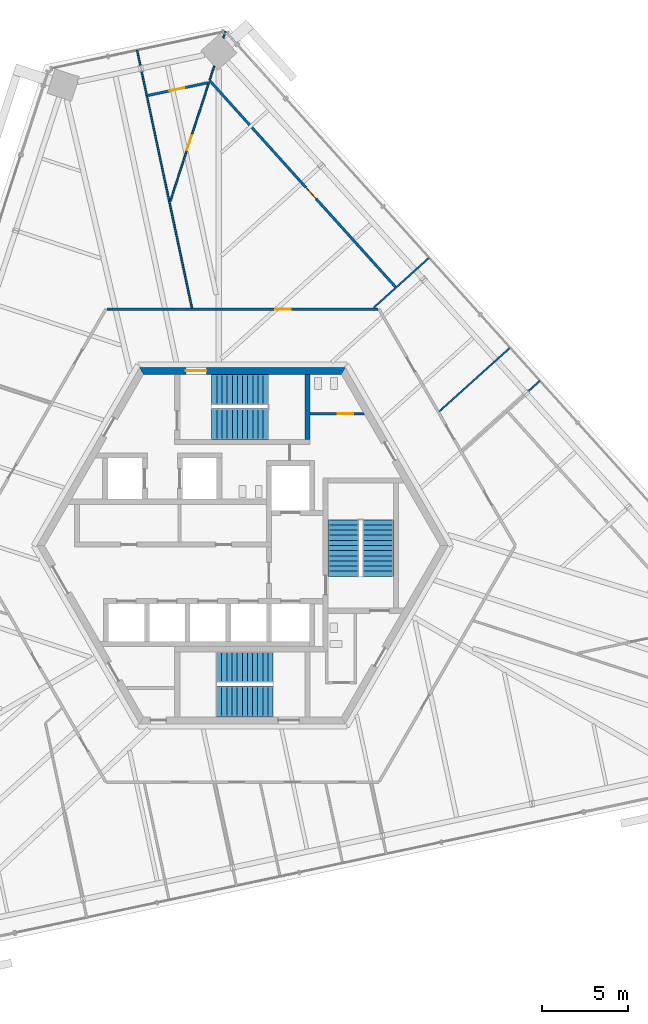
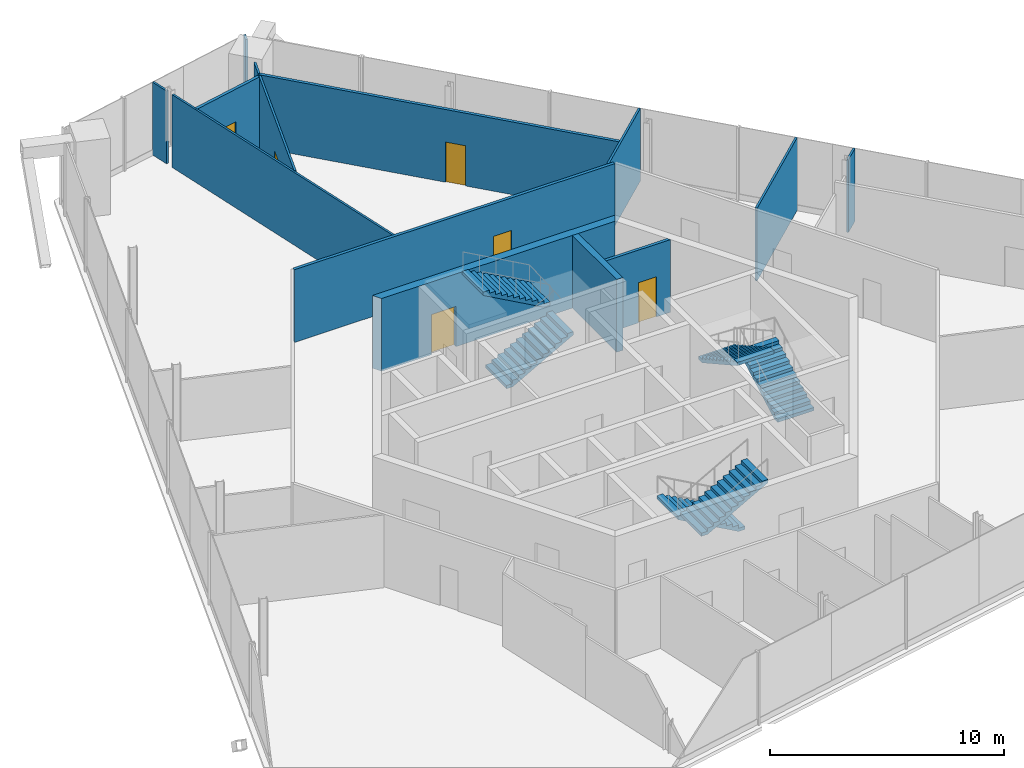
# One storey, part 13 of 16: 14 walls, 6 doors, 6 stair flights, 6 openings, 3 elements without a shape of their own.
"""IFC4 building model written with IfcOpenShell, lengths in metres."""

from ifc_helpers import new_model, si_unit, direction, frame, frame_2d, origin, place, context, subcontext, project, spatial, polyline, rectangle, outline, extrude, source, transform, mapped, material, layer, layer_set, type_object, element, fill, aggregate, save


model = new_model("IFC4")

# Units and contexts
model_context = context("Model", 3, precision=1e-05, world=origin(), true_north=direction((0.0, 1.0)))
body_context = subcontext(model_context, "Body", "Model", "MODEL_VIEW")
ifc_project = project(units=[si_unit("LENGTHUNIT", "METRE"), si_unit("AREAUNIT", "SQUARE_METRE"), si_unit("VOLUMEUNIT", "CUBIC_METRE"), si_unit("PLANEANGLEUNIT", "RADIAN"), si_unit("MASSUNIT", "GRAM", prefix="KILO")], contexts=[model_context])

# Site, building, storey
site_placement = place(None, origin())
site = spatial("IfcSite", under=ifc_project, at=site_placement, CompositionType="ELEMENT")
building_placement = place(site_placement, origin())
building = spatial("IfcBuilding", under=site, at=building_placement, Name="Triune Harvest Tower", CompositionType="ELEMENT")
storey_placement = place(building_placement, frame((0.0, 0.0, 292.699951171875)))
storey = spatial("IfcBuildingStorey", under=building, at=storey_placement, Name="L77", CompositionType="ELEMENT", Elevation=292.699951171875)

# Wall, opening, door
ifc_material_1 = material(Name="Concrete masonry unit", Category="masonry")
ifc_layer_1 = layer(ifc_material_1, 0.14990234375)
ifc_layer_set_1 = layer_set([ifc_layer_1], Name="Concrete masonry unit")
wall_type_1 = type_object("IfcWallType", Name="Block partition 150 unrated", PredefinedType="PARTITIONING", material=ifc_layer_set_1)
wall_1_placement = place(storey_placement, frame((3.949951171875, 7.699951171875, 0.0), z_axis=(0.0, 0.0, 1.0), x_axis=(1.0, 0.0, 0.0)))
wall_1 = element("IfcWall", 1, at=wall_1_placement, inside=storey, type_object=wall_type_1, Name="Wc women south wall", PredefinedType="PARTITIONING", context=body_context, shape_type="SweptSolid", body=[
    extrude(outline(polyline([(0.0, -0.074951171875), (0.0, 0.074951171875), (3.1015625, 0.074951171875), (3.18798828125, -0.074951171875), (0.0, -0.074951171875)])), origin(), (0.0, 0.0, 1.0), 3.800048828125),
])
opening_1_placement = place(wall_1_placement, frame((1.60009765625, 0.0, 0.0)))
opening_1 = element("IfcOpeningElement", 2, at=opening_1_placement, cuts=wall_1, Name="Opening CD-WW", PredefinedType="OPENING", context=body_context, shape_type="SweptSolid", body=[
    extrude(rectangle(XDim=0.89990234375, YDim=2.10009765625, at=frame_2d((0.449951171875, 1.050048828125))), frame((0.0, 0.0849609375, 0.0), z_axis=(0.0, -1.0, 0.0), x_axis=(1.0, 0.0, 0.0)), (0.0, 0.0, 1.0), 0.169921875),
])
ifc_material_2 = material(Name="Timber C24", Category="wood")
door_type_1 = type_object("IfcDoorType", Name="WC door 900", OperationType="SINGLE_SWING_LEFT", PredefinedType="DOOR", material=ifc_material_2)
door_1_placement = place(opening_1_placement, origin())
door_1 = element("IfcDoor", 3, at=door_1_placement, inside=storey, type_object=door_type_1, Name="Door CD-WW", OperationType="SINGLE_SWING_LEFT", OverallHeight=2.10009765625, OverallWidth=0.89990234375, PredefinedType="DOOR", context=body_context, shape_type="SweptSolid", body=[
    extrude(rectangle(XDim=0.89990234375, YDim=2.10009765625, at=frame_2d((0.449951171875, 1.050048828125))), frame((0.0, 0.02490234375, 0.0), z_axis=(0.0, -1.0, 0.0), x_axis=(1.0, 0.0, 0.0)), (0.0, 0.0, 1.0), 0.050048828125),
])
fill(opening_1, door_1)

ifc_material_3 = material(Name="Gypsum board on steel studs", Category="steel")
ifc_layer_2 = layer(ifc_material_3, 0.14990234375)
ifc_layer_set_2 = layer_set([ifc_layer_2], Name="Gypsum board on steel studs")
wall_type_2 = type_object("IfcWallType", Name="Fire Partition 150 mm", PredefinedType="PARTITIONING", material=ifc_layer_set_2)
wall_2_placement = place(storey_placement, frame((-1.917236328125, 27.131591796875, 0.0), z_axis=(0.0, 0.0, 1.0), x_axis=(0.669134010091, -0.74314176073, 0.0)))
wall_2 = element("IfcWall", 4, at=wall_2_placement, inside=storey, type_object=wall_type_2, Name="Partition L77 014", PredefinedType="PARTITIONING", context=body_context, shape_type="SweptSolid", body=[
    extrude(rectangle(XDim=16.25341796875, YDim=0.14990234375, at=frame_2d((8.126708984375, 0.0))), origin(), (0.0, 0.0, 1.0), 3.800048828125),
])
opening_2_placement = place(wall_2_placement, frame((8.403564453125, 0.0, 0.0)))
opening_2 = element("IfcOpeningElement", 5, at=opening_2_placement, cuts=wall_2, Name="Opening L77-004", PredefinedType="OPENING", context=body_context, shape_type="SweptSolid", body=[
    extrude(rectangle(XDim=0.89990234375, YDim=2.10009765625, at=frame_2d((0.449951171875, 1.050048828125))), frame((0.0, 0.0849609375, 0.0), z_axis=(0.0, -1.0, 0.0), x_axis=(1.0, 0.0, 0.0)), (0.0, 0.0, 1.0), 0.169921875),
])
ifc_material_4 = material(Name="Timber and steel door set", Category="steel")
door_type_2 = type_object("IfcDoorType", Name="Single leaf door FD30 right hand 900 x 2100", OperationType="SINGLE_SWING_RIGHT", PredefinedType="DOOR", material=ifc_material_4)
door_2_placement = place(opening_2_placement, origin())
door_2 = element("IfcDoor", 6, at=door_2_placement, inside=storey, type_object=door_type_2, Name="Door L77-004 Dry Store Room 77.04", OperationType="SINGLE_SWING_RIGHT", OverallHeight=2.10009765625, OverallWidth=0.89990234375, PredefinedType="DOOR", context=body_context, shape_type="SweptSolid", body=[
    extrude(rectangle(XDim=0.89990234375, YDim=2.10009765625, at=frame_2d((0.449951171875, 1.050048828125))), frame((0.0, 0.02490234375, 0.0), z_axis=(0.0, -1.0, 0.0), x_axis=(1.0, 0.0, 0.0)), (0.0, 0.0, 1.0), 0.050048828125),
])
fill(opening_2, door_2)

wall_3_placement = place(storey_placement, frame((-7.9130859375, 13.792236328125, 0.0), z_axis=(0.0, 0.0, 1.0), x_axis=(1.0, 0.0, 0.0)))
wall_3 = element("IfcWall", 7, at=wall_3_placement, inside=storey, type_object=wall_type_2, Name="Partition L77 024", PredefinedType="PARTITIONING", context=body_context, shape_type="SweptSolid", body=[
    extrude(rectangle(XDim=15.826171875, YDim=0.14990234375, at=frame_2d((7.9130859375, 0.0))), origin(), (0.0, 0.0, 1.0), 3.800048828125),
])
opening_3_placement = place(wall_3_placement, frame((9.8212890625, 0.0, 0.0)))
opening_3 = element("IfcOpeningElement", 8, at=opening_3_placement, cuts=wall_3, Name="Opening L77-003", PredefinedType="OPENING", context=body_context, shape_type="SweptSolid", body=[
    extrude(rectangle(XDim=0.89990234375, YDim=2.10009765625, at=frame_2d((0.449951171875, 1.050048828125))), frame((0.0, 0.0849609375, 0.0), z_axis=(0.0, -1.0, 0.0), x_axis=(1.0, 0.0, 0.0)), (0.0, 0.0, 1.0), 0.169921875),
])
door_3_placement = place(opening_3_placement, origin())
door_3 = element("IfcDoor", 9, at=door_3_placement, inside=storey, type_object=door_type_2, Name="Door L77-003 Observation Cafe 77.03", OperationType="SINGLE_SWING_RIGHT", OverallHeight=2.10009765625, OverallWidth=0.89990234375, PredefinedType="DOOR", context=body_context, shape_type="SweptSolid", body=[
    extrude(rectangle(XDim=0.89990234375, YDim=2.10009765625, at=frame_2d((0.449951171875, 1.050048828125))), frame((0.0, 0.02490234375, 0.0), z_axis=(0.0, -1.0, 0.0), x_axis=(1.0, 0.0, 0.0)), (0.0, 0.0, 1.0), 0.050048828125),
])
fill(opening_3, door_3)

wall_4_placement = place(storey_placement, frame((-5.54833984375, 26.247314453125, 0.0), z_axis=(0.0, 0.0, 1.0), x_axis=(0.978149176892, 0.207904275439, 0.0)))
wall_4 = element("IfcWall", 10, at=wall_4_placement, inside=storey, type_object=wall_type_2, Name="Partition L77 027", PredefinedType="PARTITIONING", context=body_context, shape_type="SweptSolid", body=[
    extrude(rectangle(XDim=3.59228515625, YDim=0.14990234375, at=frame_2d((1.796142578125, 0.0))), origin(), (0.0, 0.0, 1.0), 3.800048828125),
])
opening_4_placement = place(wall_4_placement, frame((1.322265625, 0.0, 0.0)))
opening_4 = element("IfcOpeningElement", 11, at=opening_4_placement, cuts=wall_4, Name="Opening L77-008", PredefinedType="OPENING", context=body_context, shape_type="SweptSolid", body=[
    extrude(rectangle(XDim=0.89990234375, YDim=2.10009765625, at=frame_2d((0.449951171875, 1.050048828125))), frame((0.0, 0.0849609375, 0.0), z_axis=(0.0, -1.0, 0.0), x_axis=(1.0, 0.0, 0.0)), (0.0, 0.0, 1.0), 0.169921875),
])
ifc_material_5 = material(Name="Timber and steel door set", Category="steel")
door_type_3 = type_object("IfcDoorType", Name="Single leaf door FD30 left hand 900 x 2100", OperationType="SINGLE_SWING_LEFT", PredefinedType="DOOR", material=ifc_material_5)
door_4_placement = place(opening_4_placement, origin())
door_4 = element("IfcDoor", 12, at=door_4_placement, inside=storey, type_object=door_type_3, Name="Door L77-008 Dry Store Room 77.08", OperationType="SINGLE_SWING_LEFT", OverallHeight=2.10009765625, OverallWidth=0.89990234375, PredefinedType="DOOR", context=body_context, shape_type="SweptSolid", body=[
    extrude(rectangle(XDim=0.89990234375, YDim=2.10009765625, at=frame_2d((0.449951171875, 1.050048828125))), frame((0.0, 0.02490234375, 0.0), z_axis=(0.0, -1.0, 0.0), x_axis=(1.0, 0.0, 0.0)), (0.0, 0.0, 1.0), 0.050048828125),
])
fill(opening_4, door_4)

# Walls
ifc_material_6 = material(Name="Gypsum board on steel studs", Category="steel")
ifc_layer_3 = layer(ifc_material_6, 0.10009765625)
ifc_layer_set_3 = layer_set([ifc_layer_3], Name="Gypsum board on steel studs")
wall_type_3 = type_object("IfcWallType", Name="Partition 100 mm", PredefinedType="PARTITIONING", material=ifc_layer_set_3)
wall_5_placement = place(storey_placement, frame((-5.880126953125, 27.66357421875, 0.0), z_axis=(0.0, 0.0, 1.0), x_axis=(0.207910072378, -0.978147944742, 0.0)))
element("IfcWall", 13, at=wall_5_placement, inside=storey, type_object=wall_type_3, Name="Partition L77 008", PredefinedType="PARTITIONING", context=body_context, shape_type="SweptSolid", body=[
    extrude(rectangle(XDim=14.111083984375, YDim=0.10009765625, at=frame_2d((7.0556640625, 0.0))), origin(), (0.0, 0.0, 1.0), 3.800048828125),
])
wall_6_placement = place(storey_placement, frame((11.4833984375, 7.83154296875, 0.0), z_axis=(0.0, 0.0, 1.0), x_axis=(0.743158661297, 0.669115239805, 0.0)))
element("IfcWall", 14, at=wall_6_placement, inside=storey, type_object=wall_type_3, Name="Partition L77 030", PredefinedType="PARTITIONING", context=body_context, shape_type="SweptSolid", body=[
    extrude(rectangle(XDim=5.555908203125, YDim=0.10009765625, at=frame_2d((2.77783203125, 0.0))), origin(), (0.0, 0.0, 1.0), 3.800048828125),
])
wall_7_placement = place(storey_placement, frame((7.662353515625, 13.885986328125, 0.0), z_axis=(0.0, 0.0, 1.0), x_axis=(0.743146018173, 0.669129281734, 0.0)))
element("IfcWall", 15, at=wall_7_placement, inside=storey, type_object=wall_type_3, Name="Partition L77 032", PredefinedType="PARTITIONING", context=body_context, shape_type="SweptSolid", body=[
    extrude(rectangle(XDim=4.343994140625, YDim=0.10009765625, at=frame_2d((2.171875, 0.0))), origin(), (0.0, 0.0, 1.0), 3.800048828125),
])

# Wall, opening, door
wall_8_placement = place(storey_placement, frame((-4.201171875, 20.10205078125, 0.0), z_axis=(0.0, 0.0, 1.0), x_axis=(0.309029836039, 0.95105234369, 0.0)))
wall_8 = element("IfcWall", 16, at=wall_8_placement, inside=storey, type_object=wall_type_3, Name="Partition L77 036", PredefinedType="PARTITIONING", context=body_context, shape_type="SweptSolid", body=[
    extrude(rectangle(XDim=7.26416015625, YDim=0.10009765625, at=frame_2d((3.632080078125, 0.0))), origin(), (0.0, 0.0, 1.0), 3.800048828125),
])
opening_5_placement = place(wall_8_placement, frame((3.1142578125, 0.0, 0.0)))
opening_5 = element("IfcOpeningElement", 17, at=opening_5_placement, cuts=wall_8, Name="Opening L77-007", PredefinedType="OPENING", context=body_context, shape_type="SweptSolid", body=[
    extrude(rectangle(XDim=0.89990234375, YDim=2.10009765625, at=frame_2d((0.449951171875, 1.050048828125))), frame((0.0, 0.06005859375, 0.0), z_axis=(0.0, -1.0, 0.0), x_axis=(1.0, 0.0, 0.0)), (0.0, 0.0, 1.0), 0.1201171875),
])
ifc_material_7 = material(Name="Timber and steel door set", Category="steel")
door_type_4 = type_object("IfcDoorType", Name="Single leaf door right hand 900 x 2100", OperationType="SINGLE_SWING_RIGHT", PredefinedType="DOOR", material=ifc_material_7)
door_5_placement = place(opening_5_placement, origin())
door_5 = element("IfcDoor", 18, at=door_5_placement, inside=storey, type_object=door_type_4, Name="Door L77-007 Sky Bar 77.07", OperationType="SINGLE_SWING_RIGHT", OverallHeight=2.10009765625, OverallWidth=0.89990234375, PredefinedType="DOOR", context=body_context, shape_type="SweptSolid", body=[
    extrude(rectangle(XDim=0.89990234375, YDim=2.10009765625, at=frame_2d((0.449951171875, 1.050048828125))), frame((0.0, 0.02490234375, 0.0), z_axis=(0.0, -1.0, 0.0), x_axis=(1.0, 0.0, 0.0)), (0.0, 0.0, 1.0), 0.050048828125),
])
fill(opening_5, door_5)

# Wall
wall_9_placement = place(storey_placement, frame((-1.90576171875, 27.16650390625, 0.0), z_axis=(0.0, 0.0, 1.0), x_axis=(0.308873643744, 0.951103081795, 0.0)))
element("IfcWall", 19, at=wall_9_placement, inside=storey, type_object=wall_type_3, Name="Partition L77 037", PredefinedType="PARTITIONING", context=body_context, shape_type="SweptSolid", body=[
    extrude(rectangle(XDim=0.857666015625, YDim=0.10009765625, at=frame_2d((0.4287109375, 0.0))), origin(), (0.0, 0.0, 1.0), 3.800048828125),
])

# Wall, opening, door
ifc_material_8 = material(Name="Concrete 70 MPa", Category="concrete")
ifc_layer_4 = layer(ifc_material_8, 0.39990234375)
ifc_layer_set_4 = layer_set([ifc_layer_4], Name="Concrete 70 MPa")
wall_type_4 = type_object("IfcWallType", Name="Core wall 400", PredefinedType="SHEAR", material=ifc_layer_set_4)
shared_shape_1 = source(origin(), body_context, "Body", "SweptSolid", [
    extrude(outline(polyline([(-0.115478515625, -0.199951171875), (11.884521484375, -0.199951171875), (11.653564453125, 0.199951171875), (0.115478515625, 0.199951171875), (-0.115478515625, -0.199951171875)])), origin(), (0.0, 0.0, 1.0), 3.800048828125),
])
wall_10_placement = place(storey_placement, frame((5.884521484375, 10.1923828125, 0.0), z_axis=(0.0, 0.0, 1.0), x_axis=(-1.0, 0.0, 0.0)))
wall_10 = element("IfcWall", 20, at=wall_10_placement, inside=storey, type_object=wall_type_4, Name="Hexagon 1 wall", PredefinedType="SHEAR", context=body_context, shape_type="MappedRepresentation", body=[
    mapped(shared_shape_1, transform((0.0, 0.0, 0.0), scale=1.0)),
])
opening_6_placement = place(wall_10_placement, frame((7.984619140625, 0.0, 0.0)))
opening_6 = element("IfcOpeningElement", 21, at=opening_6_placement, cuts=wall_10, Name="Opening CD-S1P", PredefinedType="OPENING", context=body_context, shape_type="SweptSolid", body=[
    extrude(rectangle(XDim=1.199951171875, YDim=2.10009765625, at=frame_2d((0.60009765625, 1.050048828125))), frame((0.0, 0.2099609375, 0.0), z_axis=(0.0, -1.0, 0.0), x_axis=(1.0, 0.0, 0.0)), (0.0, 0.0, 1.0), 0.419921875),
])
ifc_material_9 = material(Name="Steel S235", Category="steel")
door_type_5 = type_object("IfcDoorType", Name="Stair door 1200 FD120", OperationType="SINGLE_SWING_LEFT", PredefinedType="DOOR", material=ifc_material_9)
door_6_placement = place(opening_6_placement, frame((1.199951171875, 0.0, 0.0), z_axis=(0.0, 0.0, 1.0), x_axis=(-1.0, 0.0, 0.0)))
door_6 = element("IfcDoor", 22, at=door_6_placement, inside=storey, type_object=door_type_5, Name="Door CD-S1P", OperationType="SINGLE_SWING_RIGHT", OverallHeight=2.10009765625, OverallWidth=1.199951171875, PredefinedType="DOOR", context=body_context, shape_type="SweptSolid", body=[
    extrude(rectangle(XDim=1.199951171875, YDim=2.10009765625, at=frame_2d((0.60009765625, 1.050048828125))), frame((0.0, 0.02490234375, 0.0), z_axis=(0.0, -1.0, 0.0), x_axis=(1.0, 0.0, 0.0)), (0.0, 0.0, 1.0), 0.050048828125),
])
fill(opening_6, door_6)

# Walls
ifc_material_10 = material(Name="Concrete 70 MPa", Category="concrete")
ifc_layer_5 = layer(ifc_material_10, 0.300048828125)
ifc_layer_set_5 = layer_set([ifc_layer_5], Name="Concrete 70 MPa")
wall_type_5 = type_object("IfcWallType", Name="Core wall 300", PredefinedType="SHEAR", material=ifc_layer_set_5)
shared_shape_2 = source(origin(), body_context, "Body", "SweptSolid", [
    extrude(outline(polyline([(0.0, -0.14990234375), (0.0, 0.14990234375), (3.80419921875, 0.14990234375), (3.80419921875, -0.14990234375), (0.0, -0.14990234375)])), origin(), (0.0, 0.0, 1.0), 3.800048828125),
])
wall_11_placement = place(storey_placement, frame((3.800048828125, 6.18994140625, 0.0), z_axis=(0.0, 0.0, 1.0), x_axis=(0.0, 1.0, 0.0)))
element("IfcWall", 23, at=wall_11_placement, inside=storey, type_object=wall_type_5, Name="Stair n east wall", PredefinedType="SHEAR", context=body_context, shape_type="MappedRepresentation", body=[
    mapped(shared_shape_2, transform((0.0, 0.0, 0.0), scale=1.0)),
])
shared_shape_3 = source(origin(), body_context, "Body", "SweptSolid", [
    extrude(rectangle(XDim=0.915283203125, YDim=0.10009765625, at=frame_2d((0.45751953125, 0.0))), origin(), (0.0, 0.0, 1.0), 3.800048828125),
])
wall_12_placement = place(storey_placement, frame((16.671875, 9.00439453125, 0.0), z_axis=(0.0, 0.0, 1.0), x_axis=(0.743214552861, 0.669053158139, 0.0)))
element("IfcWall", 24, at=wall_12_placement, inside=storey, type_object=wall_type_3, Name="Partition L77 029", PredefinedType="PARTITIONING", context=body_context, shape_type="MappedRepresentation", body=[
    mapped(shared_shape_3, transform((0.0, 0.0, 0.0), scale=1.0)),
])
shared_shape_4 = source(origin(), body_context, "Body", "SweptSolid", [
    extrude(rectangle(XDim=0.91552734375, YDim=0.10009765625, at=frame_2d((0.457763671875, 0.0))), origin(), (0.0, 0.0, 1.0), 3.800048828125),
])
wall_13_placement = place(storey_placement, frame((-6.141357421875, 28.89208984375, 0.0), z_axis=(0.0, 0.0, 1.0), x_axis=(0.207999082957, -0.978129020881, 0.0)))
element("IfcWall", 25, at=wall_13_placement, inside=storey, type_object=wall_type_3, Name="Partition L77 007", PredefinedType="PARTITIONING", context=body_context, shape_type="MappedRepresentation", body=[
    mapped(shared_shape_4, transform((0.0, 0.0, 0.0), scale=1.0)),
])
shared_shape_5 = source(origin(), body_context, "Body", "SweptSolid", [
    extrude(rectangle(XDim=0.399169921875, YDim=0.10009765625, at=frame_2d((0.19970703125, 0.0))), origin(), (0.0, 0.0, 1.0), 3.800048828125),
])
wall_14_placement = place(storey_placement, frame((-1.11279296875, 29.607421875, 0.0), z_axis=(0.0, 0.0, 1.0), x_axis=(0.308878611909, 0.951101468354, 0.0)))
element("IfcWall", 26, at=wall_14_placement, inside=storey, type_object=wall_type_3, Name="Partition L77 038", PredefinedType="PARTITIONING", context=body_context, shape_type="MappedRepresentation", body=[
    mapped(shared_shape_5, transform((0.0, 0.0, 0.0), scale=1.0)),
])

# Stair, stair flights
ifc_material_11 = material(Name="Concrete 40 MPa", Category="concrete")
stair_type = type_object("IfcStairType", Name="Exit stair 1800 half turn", PredefinedType="HALF_TURN_STAIR", material=ifc_material_11)
stair_1_placement = place(storey_placement, origin())
stair_1 = element("IfcStair", 27, at=stair_1_placement, inside=storey, type_object=stair_type, Name="Exit stair north", PredefinedType="HALF_TURN_STAIR")
ifc_material_12 = material(Name="Concrete 40 MPa", Category="concrete")
stair_flight_type = type_object("IfcStairFlightType", Name="Stair flight 1800", PredefinedType="STRAIGHT", material=ifc_material_12)
shared_shape_6 = source(origin(), body_context, "Body", "SweptSolid", [
    extrude(outline(polyline([(0.0, 0.0), (0.0, 0.166748046875), (0.300048828125, 0.166748046875), (0.300048828125, 0.333251953125), (0.60009765625, 0.333251953125), (0.60009765625, 0.5), (0.89990234375, 0.5), (0.89990234375, 0.666748046875), (1.199951171875, 0.666748046875), (1.199951171875, 0.833251953125), (1.5, 0.833251953125), (1.5, 1.0), (1.800048828125, 1.0), (1.800048828125, 1.166748046875), (2.10009765625, 1.166748046875), (2.10009765625, 1.333251953125), (2.39990234375, 1.333251953125), (2.39990234375, 1.5), (2.699951171875, 1.5), (2.699951171875, 1.666748046875), (3.0, 1.666748046875), (3.0, 1.833251953125), (3.300048828125, 1.833251953125), (3.300048828125, 2.0), (3.300048828125, 1.661865234375), (0.30859375, 0.0), (0.0, 0.0)])), frame((0.0, 0.89990234375, 0.0), z_axis=(0.0, -1.0, 0.0), x_axis=(1.0, 0.0, 0.0)), (0.0, 0.0, 1.0), 1.800048828125),
])
stair_flight_1_placement = place(storey_placement, frame((-1.7900390625, 7.090087890625, 0.0), z_axis=(0.0, 0.0, 1.0), x_axis=(1.0, 0.0, 0.0)))
stair_flight_1 = element("IfcStairFlight", 28, at=stair_flight_1_placement, type_object=stair_flight_type, Name="ST-1 flight 1", NumberOfRisers=12, NumberOfTreads=11, PredefinedType="STRAIGHT", RiserHeight=0.16667, TreadLength=0.3, context=body_context, shape_type="MappedRepresentation", body=[
    mapped(shared_shape_6, transform((0.0, 0.0, 0.0), scale=1.0)),
])
stair_flight_2_placement = place(storey_placement, frame((1.510009765625, 9.090087890625, 2.0), z_axis=(0.0, 0.0, 1.0), x_axis=(-1.0, 0.0, 0.0)))
stair_flight_2 = element("IfcStairFlight", 29, at=stair_flight_2_placement, type_object=stair_flight_type, Name="ST-1 flight 2", NumberOfRisers=12, NumberOfTreads=11, PredefinedType="STRAIGHT", RiserHeight=0.16667, TreadLength=0.3, context=body_context, shape_type="MappedRepresentation", body=[
    mapped(shared_shape_6, transform((0.0, 0.0, 0.0), scale=1.0)),
])
aggregate(stair_1, [stair_flight_1, stair_flight_2])

stair_2_placement = place(storey_placement, origin())
stair_2 = element("IfcStair", 30, at=stair_2_placement, inside=storey, type_object=stair_type, Name="Exit stair south", PredefinedType="HALF_TURN_STAIR")
stair_flight_3_placement = place(storey_placement, frame((1.7900390625, -7.090087890625, 0.0), z_axis=(0.0, 0.0, 1.0), x_axis=(-1.0, 0.0, 0.0)))
stair_flight_3 = element("IfcStairFlight", 31, at=stair_flight_3_placement, type_object=stair_flight_type, Name="ST-2 flight 1", NumberOfRisers=12, NumberOfTreads=11, PredefinedType="STRAIGHT", RiserHeight=0.16667, TreadLength=0.3, context=body_context, shape_type="MappedRepresentation", body=[
    mapped(shared_shape_6, transform((0.0, 0.0, 0.0), scale=1.0)),
])
stair_flight_4_placement = place(storey_placement, frame((-1.510009765625, -9.090087890625, 2.0), z_axis=(0.0, 0.0, 1.0), x_axis=(1.0, 0.0, 0.0)))
stair_flight_4 = element("IfcStairFlight", 32, at=stair_flight_4_placement, type_object=stair_flight_type, Name="ST-2 flight 2", NumberOfRisers=12, NumberOfTreads=11, PredefinedType="STRAIGHT", RiserHeight=0.16667, TreadLength=0.3, context=body_context, shape_type="MappedRepresentation", body=[
    mapped(shared_shape_6, transform((0.0, 0.0, 0.0), scale=1.0)),
])
aggregate(stair_2, [stair_flight_3, stair_flight_4])

stair_3_placement = place(storey_placement, origin())
stair_3 = element("IfcStair", 33, at=stair_3_placement, inside=storey, type_object=stair_type, Name="Exit stair east", PredefinedType="HALF_TURN_STAIR")
stair_flight_5_placement = place(storey_placement, frame((7.89990234375, -1.7900390625, 0.0), z_axis=(0.0, 0.0, 1.0), x_axis=(0.0, 1.0, 0.0)))
stair_flight_5 = element("IfcStairFlight", 34, at=stair_flight_5_placement, type_object=stair_flight_type, Name="ST-3 flight 1", NumberOfRisers=12, NumberOfTreads=11, PredefinedType="STRAIGHT", RiserHeight=0.16667, TreadLength=0.3, context=body_context, shape_type="MappedRepresentation", body=[
    mapped(shared_shape_6, transform((0.0, 0.0, 0.0), scale=1.0)),
])
stair_flight_6_placement = place(storey_placement, frame((5.89990234375, 1.510009765625, 2.0), z_axis=(0.0, 0.0, 1.0), x_axis=(0.0, -1.0, 0.0)))
stair_flight_6 = element("IfcStairFlight", 35, at=stair_flight_6_placement, type_object=stair_flight_type, Name="ST-3 flight 2", NumberOfRisers=12, NumberOfTreads=11, PredefinedType="STRAIGHT", RiserHeight=0.16667, TreadLength=0.3, context=body_context, shape_type="MappedRepresentation", body=[
    mapped(shared_shape_6, transform((0.0, 0.0, 0.0), scale=1.0)),
])
aggregate(stair_3, [stair_flight_5, stair_flight_6])

save(model, "model.ifc")
